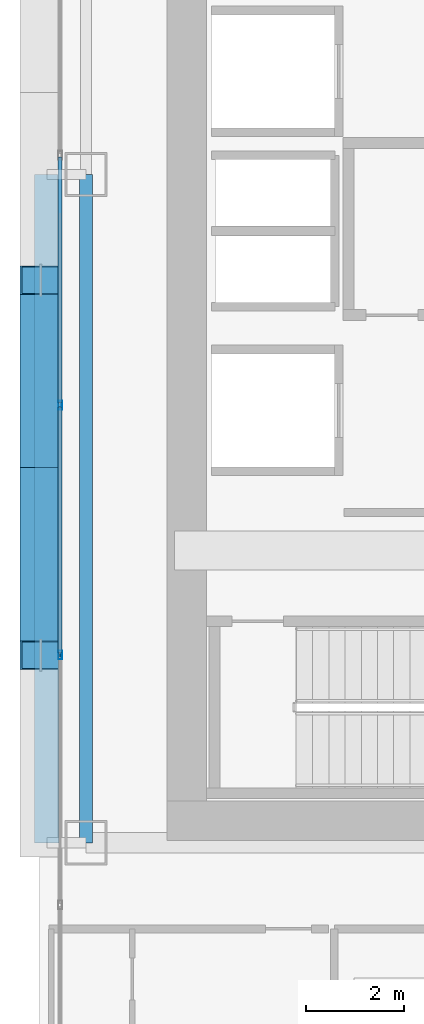
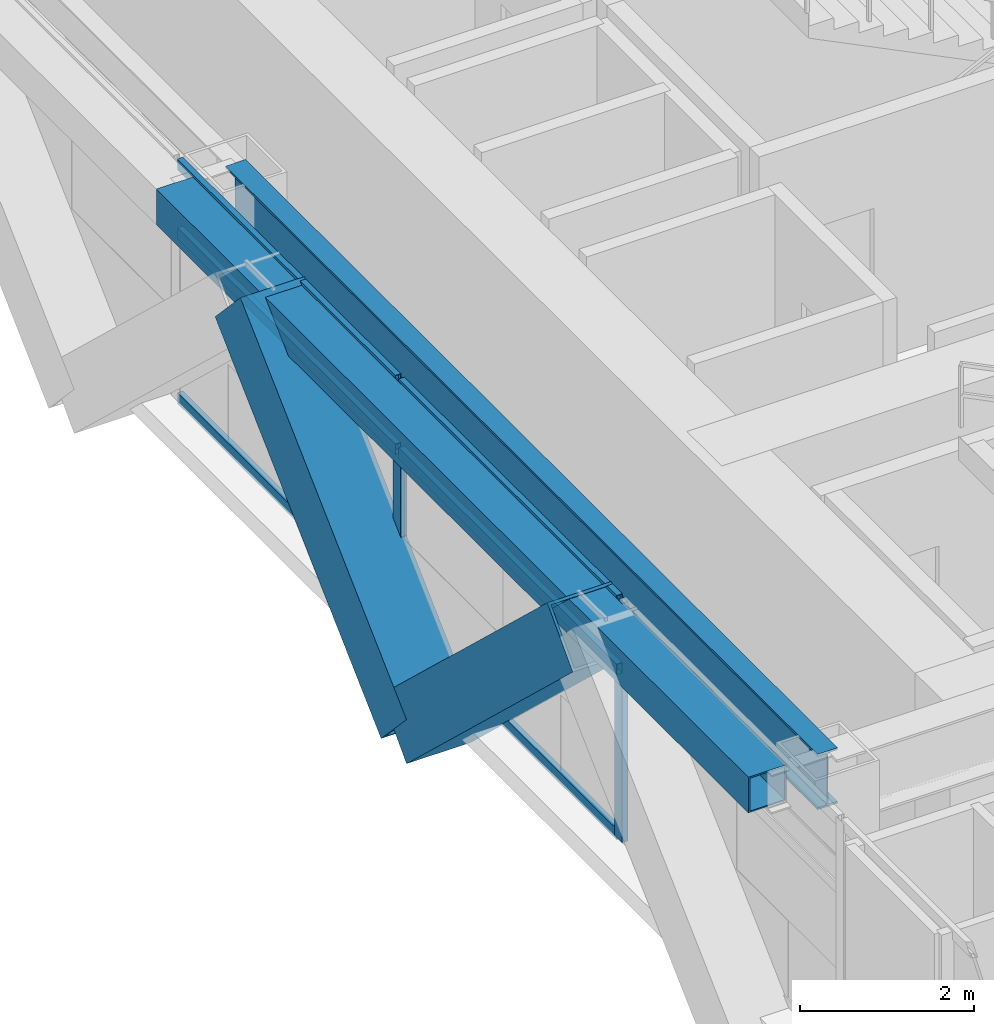
# One storey, part 6 of 35: 10 members, 2 beams, 1 element without a shape of its own.
"""IFC4 building model written with IfcOpenShell, lengths in metres."""

from ifc_helpers import new_model, si_unit, direction, frame, origin, origin_2d, place, context, subcontext, project, spatial, hollow_rectangle, i_section, extrude, source, transform, mapped, material, layer, layer_set, material_profile, profile_set, type_object, element, aggregate, save


model = new_model("IFC4")

# Units and contexts
model_context = context("Model", 3, precision=1e-05, world=origin(), true_north=direction((0.0, 1.0)))
body_context = subcontext(model_context, "Body", "Model", "MODEL_VIEW")
ifc_project = project(units=[si_unit("LENGTHUNIT", "METRE"), si_unit("AREAUNIT", "SQUARE_METRE"), si_unit("VOLUMEUNIT", "CUBIC_METRE"), si_unit("PLANEANGLEUNIT", "RADIAN"), si_unit("MASSUNIT", "GRAM", prefix="KILO")], contexts=[model_context])

# Site, building, storey
site_placement = place(None, origin())
site = spatial("IfcSite", under=ifc_project, at=site_placement, CompositionType="ELEMENT")
building_placement = place(site_placement, origin())
building = spatial("IfcBuilding", under=site, at=building_placement, Name="Ocotamira Hotel", CompositionType="ELEMENT")
storey_placement = place(building_placement, frame((0.0, 0.0, 63.60009765625)))
storey = spatial("IfcBuildingStorey", under=building, at=storey_placement, Name="L15", CompositionType="ELEMENT", Elevation=63.60009765625)

# Beams
ifc_material_1 = material(Name="Steel ASTM A992 Grade 50", Category="steel")
ifc_material_profile_1 = material_profile(ifc_material_1, i_section(OverallWidth=0.26611328125, OverallDepth=0.779052734375, WebThickness=0.0166015625, FlangeThickness=0.030029296875, FilletRadius=0.01806640625, at=origin_2d()), Name="W30X148")
ifc_profile_set_1 = profile_set([ifc_material_profile_1], Name="Steel ASTM A992 Grade 50")
beam_type_1 = type_object("IfcBeamType", Name="BM-GIRD-W30X148", PredefinedType="BEAM", material=ifc_profile_set_1)
shared_shape_1 = source(origin(), body_context, "Body", "SweptSolid", [
    extrude(i_section(OverallWidth=0.26611328125, OverallDepth=0.779052734375, WebThickness=0.0166015625, FlangeThickness=0.030029296875, FilletRadius=0.01806640625, at=origin_2d()), origin(), (0.0, 0.0, 1.0), 13.599853515625),
])
beam_1_placement = place(storey_placement, frame((8.949951171875, 14.550048828125, 2.96044921875), z_axis=(0.0, 1.0, 0.0), x_axis=(-1.0, 0.0, 0.0)))
element("IfcBeam", 1, at=beam_1_placement, inside=storey, type_object=beam_type_1, Name="L15 Beam X8.95 Y14.55-28.15", PredefinedType="BEAM", context=body_context, shape_type="MappedRepresentation", body=[
    mapped(shared_shape_1, transform((0.0, 0.0, 0.0), scale=1.0)),
])
ifc_material_2 = material(Name="Steel ASTM A500 Grade C", Category="steel")
ifc_material_profile_2 = material_profile(ifc_material_2, hollow_rectangle(XDim=0.5, YDim=0.5, WallThickness=0.02001953125, at=origin_2d()), Name="HSS500X500X20")
ifc_profile_set_2 = profile_set([ifc_material_profile_2], Name="Steel ASTM A500 Grade C")
beam_type_2 = type_object("IfcBeamType", Name="BM-SPAN-HSS500", PredefinedType="USERDEFINED", material=ifc_profile_set_2)
shared_shape_2 = source(origin(), body_context, "Body", "SweptSolid", [
    extrude(hollow_rectangle(XDim=0.5, YDim=0.5, WallThickness=0.02001953125, at=origin_2d()), origin(), (0.0, 0.0, 1.0), 13.599853515625),
])
beam_2_placement = place(storey_placement, frame((8.14990234375, 14.550048828125, 3.099853515625), z_axis=(0.0, 1.0, 0.0), x_axis=(-1.0, 0.0, 0.0)))
element("IfcBeam", 2, at=beam_2_placement, inside=storey, type_object=beam_type_2, Name="L15 Edge Spandrel W Y14.55-28.15", ObjectType="SPANDREL", PredefinedType="USERDEFINED", context=body_context, shape_type="MappedRepresentation", body=[
    mapped(shared_shape_2, transform((0.0, 0.0, 0.0), scale=1.0)),
])

# Members
ifc_material_3 = material(Name="Pale-metal coated steel ASTM A913 Grade 65", Category="steel")
ifc_material_profile_3 = material_profile(ifc_material_3, hollow_rectangle(XDim=0.85009765625, YDim=0.85009765625, WallThickness=0.035888671875, at=origin_2d()), Name="BOX850X850X36")
ifc_profile_set_3 = profile_set([ifc_material_profile_3], Name="Pale-metal coated steel ASTM A913 Grade 65")
member_type_1 = type_object("IfcMemberType", Name="MEM-EXO-BOX850", PredefinedType="BRACE", material=ifc_profile_set_3)
shared_shape_3 = source(origin(), body_context, "Body", "SweptSolid", [
    extrude(hollow_rectangle(XDim=0.85009765625, YDim=0.85009765625, WallThickness=0.035888671875, at=origin_2d()), origin(), (0.0, 0.0, 1.0), 5.24658203125),
])
for number, where, z_axis, x_axis, name in (
    (3, (8.030029296875, 22.183349609375, -0.5), (0.0, -0.72746596067, 0.686143772154), (1.0, 0.0, 0.0), "L15 Exoskeleton Diagrid W0.2"),
    (4, (8.030029296875, 22.183349609375, -0.5), (0.0, 0.72746596067, 0.686143772154), (-1.0, 0.0, 0.0), "L15 Exoskeleton Diagrid W1.1"),
):
    element("IfcMember", number, at=place(storey_placement, frame(where, z_axis=z_axis, x_axis=x_axis)), inside=storey, type_object=member_type_1, Name=name, PredefinedType="BRACE", context=body_context, shape_type="MappedRepresentation", body=[
        mapped(shared_shape_3, transform((0.0, 0.0, 0.0), scale=1.0)),
    ])

# Curtain wall, members
ifc_material_4 = material(Name="Anodised pale-metal aluminium and solar glass", Category="aluminium")
ifc_layer = layer(ifc_material_4, 0.179931640625)
ifc_layer_set = layer_set([ifc_layer], Name="Anodised pale-metal aluminium and solar glass")
curtain_wall_type = type_object("IfcCurtainWallType", Name="CW-SYS2-Z1", PredefinedType="NOTDEFINED", material=ifc_layer_set)
curtain_wall_placement = place(storey_placement, origin())
curtain_wall = element("IfcCurtainWall", 5, at=curtain_wall_placement, inside=storey, type_object=curtain_wall_type, Name="L15 Curtain Wall CW-2 CW-L15-W", PredefinedType="NOTDEFINED")
ifc_material_5 = material(Name="Anodised pale-metal aluminium 6063-T6", Category="aluminium")
ifc_material_profile_4 = material_profile(ifc_material_5, hollow_rectangle(XDim=0.080078125, YDim=0.179931640625, WallThickness=0.006103515625, at=origin_2d()), Name="HSS180X80X6")
ifc_profile_set_4 = profile_set([ifc_material_profile_4], Name="Anodised pale-metal aluminium 6063-T6")
member_type_2 = type_object("IfcMemberType", Name="CWM-180X75", PredefinedType="MULLION", material=ifc_profile_set_4)
shared_shape_4 = source(origin(), body_context, "Body", "SweptSolid", [
    extrude(hollow_rectangle(XDim=0.080078125, YDim=0.179931640625, WallThickness=0.006103515625, at=origin_2d()), origin(), (0.0, 0.0, 1.0), 3.349853515625),
])
member_1_placement = place(storey_placement, frame((8.419921875, 18.371337890625, 0.0), z_axis=(0.0, 0.0, 1.0), x_axis=(-1.0, 0.0, 0.0)))
member_1 = element("IfcMember", 6, at=member_1_placement, type_object=member_type_2, Name="CW-2 mullion 3", PredefinedType="MULLION", context=body_context, shape_type="MappedRepresentation", body=[
    mapped(shared_shape_4, transform((0.0, 0.0, 0.0), scale=1.0)),
])
member_2_placement = place(storey_placement, frame((8.419921875, 23.45703125, 0.0), z_axis=(0.0, 0.0, 1.0), x_axis=(-1.0, 0.0, 0.0)))
member_2 = element("IfcMember", 7, at=member_2_placement, type_object=member_type_2, Name="CW-2 mullion 4", PredefinedType="MULLION", context=body_context, shape_type="MappedRepresentation", body=[
    mapped(shared_shape_4, transform((0.0, 0.0, 0.0), scale=1.0)),
])
ifc_material_profile_5 = material_profile(ifc_material_5, hollow_rectangle(XDim=0.074951171875, YDim=0.14990234375, WallThickness=0.006103515625, at=origin_2d()), Name="HSS150X75X6")
ifc_profile_set_5 = profile_set([ifc_material_profile_5], Name="Anodised pale-metal aluminium 6063-T6")
member_type_3 = type_object("IfcMemberType", Name="CWT-150X75", PredefinedType="USERDEFINED", material=ifc_profile_set_5)
shared_shape_5 = source(origin(), body_context, "Body", "SweptSolid", [
    extrude(hollow_rectangle(XDim=0.074951171875, YDim=0.14990234375, WallThickness=0.006103515625, at=origin_2d()), origin(), (0.0, 0.0, 1.0), 5.005859375),
])
member_3_placement = place(storey_placement, frame((8.419921875, 18.411376953125, 0.037353515625), z_axis=(0.0, 1.0, 0.0), x_axis=(-1.0, 0.0, 0.0)))
member_3 = element("IfcMember", 8, at=member_3_placement, type_object=member_type_3, Name="CW-2 transom 3.1", ObjectType="TRANSOM", PredefinedType="USERDEFINED", context=body_context, shape_type="MappedRepresentation", body=[
    mapped(shared_shape_5, transform((0.0, 0.0, 0.0), scale=1.0)),
])
member_4_placement = place(storey_placement, frame((8.419921875, 18.411376953125, 2.349853515625), z_axis=(0.0, 1.0, 0.0), x_axis=(-1.0, 0.0, 0.0)))
member_4 = element("IfcMember", 9, at=member_4_placement, type_object=member_type_3, Name="CW-2 transom 3.2", ObjectType="TRANSOM", PredefinedType="USERDEFINED", context=body_context, shape_type="MappedRepresentation", body=[
    mapped(shared_shape_5, transform((0.0, 0.0, 0.0), scale=1.0)),
])
member_5_placement = place(storey_placement, frame((8.419921875, 18.411376953125, 3.3125), z_axis=(0.0, 1.0, 0.0), x_axis=(-1.0, 0.0, 0.0)))
member_5 = element("IfcMember", 10, at=member_5_placement, type_object=member_type_3, Name="CW-2 transom 3.3", ObjectType="TRANSOM", PredefinedType="USERDEFINED", context=body_context, shape_type="MappedRepresentation", body=[
    mapped(shared_shape_5, transform((0.0, 0.0, 0.0), scale=1.0)),
])
member_6_placement = place(storey_placement, frame((8.419921875, 23.4970703125, 0.037353515625), z_axis=(0.0, 1.0, 0.0), x_axis=(-1.0, 0.0, 0.0)))
member_6 = element("IfcMember", 11, at=member_6_placement, type_object=member_type_3, Name="CW-2 transom 4.1", ObjectType="TRANSOM", PredefinedType="USERDEFINED", context=body_context, shape_type="MappedRepresentation", body=[
    mapped(shared_shape_5, transform((0.0, 0.0, 0.0), scale=1.0)),
])
member_7_placement = place(storey_placement, frame((8.419921875, 23.4970703125, 2.349853515625), z_axis=(0.0, 1.0, 0.0), x_axis=(-1.0, 0.0, 0.0)))
member_7 = element("IfcMember", 12, at=member_7_placement, type_object=member_type_3, Name="CW-2 transom 4.2", ObjectType="TRANSOM", PredefinedType="USERDEFINED", context=body_context, shape_type="MappedRepresentation", body=[
    mapped(shared_shape_5, transform((0.0, 0.0, 0.0), scale=1.0)),
])
member_8_placement = place(storey_placement, frame((8.419921875, 23.4970703125, 3.3125), z_axis=(0.0, 1.0, 0.0), x_axis=(-1.0, 0.0, 0.0)))
member_8 = element("IfcMember", 13, at=member_8_placement, type_object=member_type_3, Name="CW-2 transom 4.3", ObjectType="TRANSOM", PredefinedType="USERDEFINED", context=body_context, shape_type="MappedRepresentation", body=[
    mapped(shared_shape_5, transform((0.0, 0.0, 0.0), scale=1.0)),
])
aggregate(curtain_wall, [member_1, member_2, member_3, member_4, member_5, member_6, member_7, member_8])

save(model, "model.ifc")
